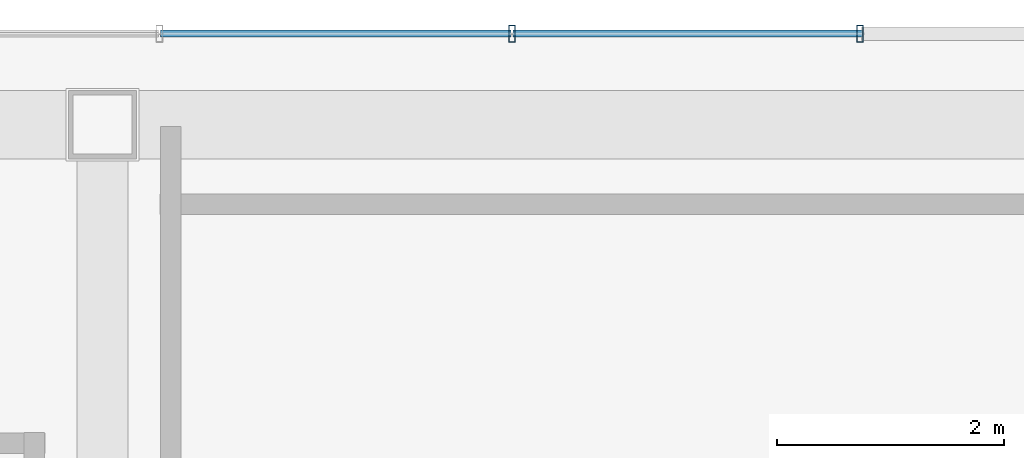
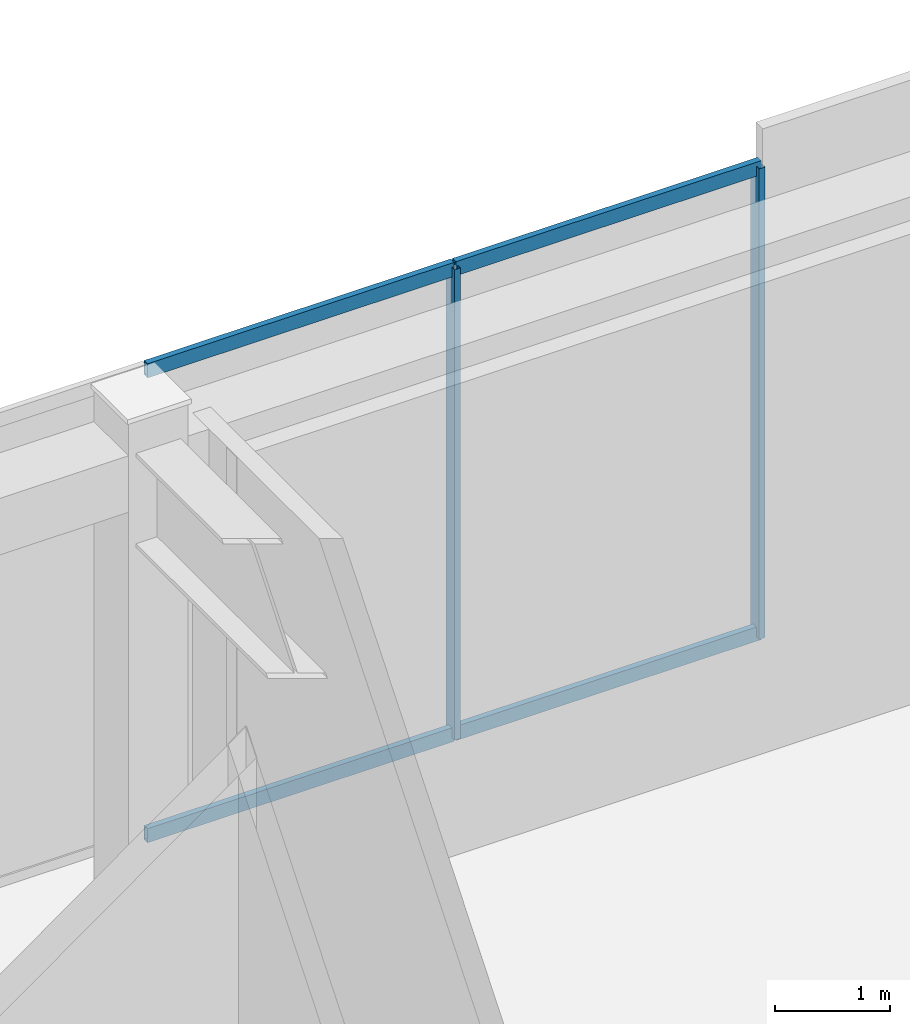
# One storey, part 3 of 9: 6 members, 1 element without a shape of its own.
"""IFC4 building model written with IfcOpenShell, lengths in metres."""

import ifcopenshell
import ifcopenshell.guid

model = None  # the IFC model being written
_history = None  # IfcOwnerHistory: only IFC2X3 demands one
_inside = {}  # id of a spatial element -> (the spatial element, [elements in it])
_under = {}  # id of a project, library or spatial element -> (it, [spatial elements below it])
_declared = {}  # id of a project -> (the project, [libraries it declares])
_typed = {}  # id of a type object -> (the type object, [elements of that type])
_made_of = {}  # id of a material, layer set ... -> (it, [elements and type objects made of it])


def new_model(schema):
    """Start an empty IFC model of exactly this schema.

    Asked for "IFC4X3", IfcOpenShell would pick the latest addendum, in which some entities
    have other attributes; the version numbers below select the first issue.
    IFC2X3 requires an IfcOwnerHistory on every rooted entity: one is made here for all.
    """
    global model, _history
    if schema == "IFC4X3":
        model = ifcopenshell.file(schema_version=(4, 3, 0, 0))
    else:
        model = ifcopenshell.file(schema=schema)
    _inside.clear()
    _under.clear()
    _declared.clear()
    _typed.clear()
    _made_of.clear()
    _history = None
    if model.schema == "IFC2X3":
        org = make("IfcOrganization", Name="unknown")
        user = make(
            "IfcPersonAndOrganization",
            ThePerson=make("IfcPerson", FamilyName="unknown"),
            TheOrganization=org,
        )
        app = make(
            "IfcApplication",
            ApplicationDeveloper=org,
            Version="unknown",
            ApplicationFullName="unknown",
            ApplicationIdentifier="unknown",
        )
        _history = make(
            "IfcOwnerHistory",
            OwningUser=user,
            OwningApplication=app,
            ChangeAction="ADDED",
            CreationDate=0,
        )
    return model


def make(cls, **values):
    """One entity of the class cls with the attributes given. An attribute that is None is left unset."""
    return model.create_entity(
        cls, **{name: value for name, value in values.items() if value is not None}
    )


def rooted(cls, **values):
    """An entity with a GlobalId (a new one), such as an element, a storey or a relation."""
    return make(cls, GlobalId=ifcopenshell.guid.new(), OwnerHistory=_history, **values)


def si_unit(unit_type, name, prefix=None):
    """IfcSIUnit, for example si_unit("LENGTHUNIT", "METRE", prefix="MILLI")."""
    return make("IfcSIUnit", UnitType=unit_type, Prefix=prefix, Name=name)


def assignment(units):
    """IfcUnitAssignment: the units of a project."""
    return None if units is None else make("IfcUnitAssignment", Units=units)


def point(xyz):
    """IfcCartesianPoint."""
    return None if xyz is None else make("IfcCartesianPoint", Coordinates=xyz)


def direction(xyz):
    """IfcDirection."""
    return None if xyz is None else make("IfcDirection", DirectionRatios=xyz)


def frame(location, z_axis=None, x_axis=None):
    """IfcAxis2Placement3D, a coordinate frame: its origin and axes. An axis left out is left unset."""
    return make(
        "IfcAxis2Placement3D",
        Location=point(location),
        Axis=direction(z_axis),
        RefDirection=direction(x_axis),
    )


def frame_2d(location, x_axis=None):
    """IfcAxis2Placement2D, a coordinate frame in the plane: its origin and x axis."""
    return make(
        "IfcAxis2Placement2D", Location=point(location), RefDirection=direction(x_axis)
    )


def origin():
    """The frame at (0, 0, 0) with its axes left unset."""
    return frame((0.0, 0.0, 0.0))


def origin_2d():
    """The frame at (0, 0) in the plane with its x axis left unset."""
    return frame_2d((0.0, 0.0))


def place(relative_to, where):
    """IfcLocalPlacement: puts the frame where relative to a parent placement (None: the world)."""
    return make(
        "IfcLocalPlacement", PlacementRelTo=relative_to, RelativePlacement=where
    )


def context(
    kind, dimensions, precision=None, world=None, true_north=None, identifier=None
):
    """IfcGeometricRepresentationContext, for example the 3D "Model" context."""
    return make(
        "IfcGeometricRepresentationContext",
        ContextIdentifier=identifier,
        ContextType=kind,
        CoordinateSpaceDimension=dimensions,
        Precision=precision,
        WorldCoordinateSystem=world,
        TrueNorth=true_north,
    )


def subcontext(parent, identifier, kind, view, scale=None):
    """IfcGeometricRepresentationSubContext, for example "Body" below "Model"."""
    return make(
        "IfcGeometricRepresentationSubContext",
        ContextIdentifier=identifier,
        ContextType=kind,
        ParentContext=parent,
        TargetScale=scale,
        TargetView=view,
    )


def project(units=None, contexts=None):
    """IfcProject with its units and contexts."""
    return rooted(
        "IfcProject",
        Name="project",
        RepresentationContexts=contexts,
        UnitsInContext=assignment(units),
    )


def spatial(cls, under=None, at=None, **own):
    """A site, building, storey or space (cls), placed at a placement, below another one or the project."""
    s = rooted(cls, ObjectPlacement=at, **own)
    if under is not None:
        _under.setdefault(under.id(), (under, []))[1].append(s)
    return s


def profile(cls, at=None, kind="AREA", **sizes):
    """A parametric profile (cls). Its sizes go by their IFC names, for example OverallWidth=200.0."""
    return make(cls, ProfileType=kind, Position=at, **sizes)


def hollow_rectangle(**sizes):
    """IfcRectangleHollowProfileDef."""
    return profile("IfcRectangleHollowProfileDef", **sizes)


def extrude(swept, where, along, depth):
    """IfcExtrudedAreaSolid: the profile swept, set in the frame where, extruded along a direction by depth."""
    return make(
        "IfcExtrudedAreaSolid",
        SweptArea=swept,
        Position=where,
        ExtrudedDirection=direction(along),
        Depth=depth,
    )


def shape(context_of_items, identifier, shape_type, items):
    """IfcShapeRepresentation: the items that make up one representation, for example the "Body"."""
    return make(
        "IfcShapeRepresentation",
        ContextOfItems=context_of_items,
        RepresentationIdentifier=identifier,
        RepresentationType=shape_type,
        Items=items,
    )


def material(Name=None, Category=None):
    """IfcMaterial."""
    return make("IfcMaterial", Name=Name, Category=Category)


def material_profile(
    of_material, cross_section, Name=None, Category=None, Priority=None
):
    """IfcMaterialProfile: a cross section and its material."""
    return make(
        "IfcMaterialProfile",
        Name=Name,
        Material=of_material,
        Profile=cross_section,
        Priority=Priority,
        Category=Category,
    )


def profile_set(profiles, Name=None, composite=None):
    """IfcMaterialProfileSet."""
    return make(
        "IfcMaterialProfileSet",
        Name=Name,
        MaterialProfiles=profiles,
        CompositeProfile=composite,
    )


def made_of(thing, what):
    """Note that an element or type object is made of a material, layer set ...; save() writes the relation."""
    if what is not None:
        _made_of.setdefault(what.id(), (what, []))[1].append(thing)
    return thing


def type_object(cls, material=None, **own):
    """A type object (cls), such as IfcWallType, which elements share."""
    return made_of(rooted(cls, **own), material)


def element(
    cls,
    number,
    at=None,
    inside=None,
    cuts=None,
    type_object=None,
    material=None,
    context=None,
    identifier="Body",
    shape_type=None,
    held_by="IfcProductDefinitionShape",
    body=None,
    shapes=None,
    **own,
):
    """One element of the class cls, such as IfcWall. Its Tag is "e" and its number.

    at: its placement. inside: the storey or other place that contains it. cuts: it is an
    opening in that element (IfcRelVoidsElement). A single representation is given by context,
    identifier, shape_type and body (its items); several are given by shapes. held_by: the class
    of the entity that holds the representations. save() writes the other relations.
    """
    e = rooted(cls, Tag="e%d" % number, ObjectPlacement=at, **own)
    if body is not None:
        shapes = [shape(context, identifier, shape_type, body)]
    if shapes is not None:
        e.Representation = make(held_by, Representations=shapes)
    if inside is not None:
        _inside.setdefault(inside.id(), (inside, []))[1].append(e)
    if cuts is not None:
        rooted(
            "IfcRelVoidsElement", RelatingBuildingElement=cuts, RelatedOpeningElement=e
        )
    if type_object is not None:
        _typed.setdefault(type_object.id(), (type_object, []))[1].append(e)
    return made_of(e, material)


def aggregate(whole, parts):
    """IfcRelAggregates: a whole, such as a stair, and the parts it consists of."""
    return rooted("IfcRelAggregates", RelatingObject=whole, RelatedObjects=parts)


def save(model, path):
    """Write the relations noted so far, then the file.

    IfcRelAggregates (storeys below a building ...), IfcRelContainedInSpatialStructure (elements
    in a storey), IfcRelDefinesByType, IfcRelAssociatesMaterial and IfcRelDeclares: one each for
    every whole, place, type object, material and project.
    """
    for whole, parts in _under.values():
        aggregate(whole, parts)
    for where, things in _inside.values():
        rooted(
            "IfcRelContainedInSpatialStructure",
            RelatedElements=things,
            RelatingStructure=where,
        )
    for kind, things in _typed.values():
        rooted("IfcRelDefinesByType", RelatedObjects=things, RelatingType=kind)
    for what, things in _made_of.values():
        rooted("IfcRelAssociatesMaterial", RelatedObjects=things, RelatingMaterial=what)
    for by, libraries in _declared.values():
        rooted("IfcRelDeclares", RelatingContext=by, RelatedDefinitions=libraries)
    model.write(path)


model = new_model("IFC4")

# Units and contexts
model_context = context("Model", 3, precision=1e-05, world=origin(), true_north=direction((0.0, 1.0)))
body_context = subcontext(model_context, "Body", "Model", "MODEL_VIEW")
ifc_project = project(units=[si_unit("LENGTHUNIT", "METRE"), si_unit("AREAUNIT", "SQUARE_METRE"), si_unit("VOLUMEUNIT", "CUBIC_METRE"), si_unit("PLANEANGLEUNIT", "RADIAN"), si_unit("MASSUNIT", "GRAM", prefix="KILO")], contexts=[model_context])

# Site, building, storey
site_placement = place(None, origin())
site = spatial("IfcSite", under=ifc_project, at=site_placement, CompositionType="ELEMENT")
building_placement = place(site_placement, origin())
building = spatial("IfcBuilding", under=site, at=building_placement, Name="Ventersveld Concourse Tower", CompositionType="ELEMENT")
storey_placement = place(building_placement, frame((0.0, 0.0, 388.25)))
storey = spatial("IfcBuildingStorey", under=building, at=storey_placement, Name="L94", CompositionType="ELEMENT", Elevation=388.25)

# Curtain wall, members
ifc_material = material(Name="Anodised aluminium EN AW-6063-T6", Category="aluminium")
curtain_wall_type = type_object("IfcCurtainWallType", Name="CW-CRN-6", PredefinedType="NOTDEFINED", material=ifc_material)
curtain_wall_placement = place(storey_placement, origin())
curtain_wall = element("IfcCurtainWall", 1, at=curtain_wall_placement, inside=storey, type_object=curtain_wall_type, Name="L94 L94 Crown North Glazed Curtain Wall 2", PredefinedType="NOTDEFINED")
ifc_material_profile_1 = material_profile(ifc_material, hollow_rectangle(XDim=0.06005859375, YDim=0.14990234375, WallThickness=0.00390625, at=origin_2d()), Name="ALU 150x60x4")
ifc_profile_set_1 = profile_set([ifc_material_profile_1], Name="Anodised aluminium EN AW-6063-T6")
member_type_1 = type_object("IfcMemberType", Name="CWM-150x65", PredefinedType="MULLION", material=ifc_profile_set_1)
member_1_placement = place(storey_placement, frame((27.909912109375, 22.0, 0.0), z_axis=(0.0, 0.0, 1.0), x_axis=(1.0, 0.0, 0.0)))
member_1 = element("IfcMember", 2, at=member_1_placement, type_object=member_type_1, Name="CW-L94-N2 Mullion 01", PredefinedType="MULLION", context=body_context, shape_type="SweptSolid", body=[
    extrude(hollow_rectangle(XDim=0.06005859375, YDim=0.14990234375, WallThickness=0.00390625, at=origin_2d()), origin(), (0.0, 0.0, 1.0), 5.0),
])
member_2_placement = place(storey_placement, frame((24.85009765625, 22.0, 0.0), z_axis=(0.0, 0.0, 1.0), x_axis=(1.0, 0.0, 0.0)))
member_2 = element("IfcMember", 3, at=member_2_placement, type_object=member_type_1, Name="CW-L94-N2 Mullion 02", PredefinedType="MULLION", context=body_context, shape_type="SweptSolid", body=[
    extrude(hollow_rectangle(XDim=0.06005859375, YDim=0.14990234375, WallThickness=0.00390625, at=origin_2d()), origin(), (0.0, 0.0, 1.0), 5.0),
])
ifc_material_profile_2 = material_profile(ifc_material, hollow_rectangle(XDim=0.06005859375, YDim=0.14990234375, WallThickness=0.00390625, at=origin_2d()), Name="ALU 150x60x4")
ifc_profile_set_2 = profile_set([ifc_material_profile_2], Name="Anodised aluminium EN AW-6063-T6")
member_type_2 = type_object("IfcMemberType", Name="CWT-150x60", PredefinedType="USERDEFINED", material=ifc_profile_set_2)
member_3_placement = place(storey_placement, frame((27.929931640625, 22.0, 0.030029296875), z_axis=(-1.0, 0.0, 0.0), x_axis=(0.0, -1.0, 0.0)))
member_3 = element("IfcMember", 4, at=member_3_placement, type_object=member_type_2, Name="CW-L94-N2 Transom 1-01", ObjectType="TRANSOM", PredefinedType="USERDEFINED", context=body_context, shape_type="SweptSolid", body=[
    extrude(hollow_rectangle(XDim=0.06005859375, YDim=0.14990234375, WallThickness=0.00390625, at=origin_2d()), origin(), (0.0, 0.0, 1.0), 3.06982421875),
])
member_4_placement = place(storey_placement, frame((24.840087890625, 22.0, 0.030029296875), z_axis=(-1.0, 0.0, 0.0), x_axis=(0.0, -1.0, 0.0)))
member_4 = element("IfcMember", 5, at=member_4_placement, type_object=member_type_2, Name="CW-L94-N2 Transom 1-02", ObjectType="TRANSOM", PredefinedType="USERDEFINED", context=body_context, shape_type="SweptSolid", body=[
    extrude(hollow_rectangle(XDim=0.06005859375, YDim=0.14990234375, WallThickness=0.00390625, at=origin_2d()), origin(), (0.0, 0.0, 1.0), 3.080078125),
])
member_5_placement = place(storey_placement, frame((27.929931640625, 22.0, 4.969970703125), z_axis=(-1.0, 0.0, 0.0), x_axis=(0.0, -1.0, 0.0)))
member_5 = element("IfcMember", 6, at=member_5_placement, type_object=member_type_2, Name="CW-L94-N2 Transom 2-01", ObjectType="TRANSOM", PredefinedType="USERDEFINED", context=body_context, shape_type="SweptSolid", body=[
    extrude(hollow_rectangle(XDim=0.06005859375, YDim=0.14990234375, WallThickness=0.00390625, at=origin_2d()), origin(), (0.0, 0.0, 1.0), 3.06982421875),
])
member_6_placement = place(storey_placement, frame((24.840087890625, 22.0, 4.969970703125), z_axis=(-1.0, 0.0, 0.0), x_axis=(0.0, -1.0, 0.0)))
member_6 = element("IfcMember", 7, at=member_6_placement, type_object=member_type_2, Name="CW-L94-N2 Transom 2-02", ObjectType="TRANSOM", PredefinedType="USERDEFINED", context=body_context, shape_type="SweptSolid", body=[
    extrude(hollow_rectangle(XDim=0.06005859375, YDim=0.14990234375, WallThickness=0.00390625, at=origin_2d()), origin(), (0.0, 0.0, 1.0), 3.080078125),
])
aggregate(curtain_wall, [member_1, member_2, member_3, member_4, member_5, member_6])

save(model, "model.ifc")
